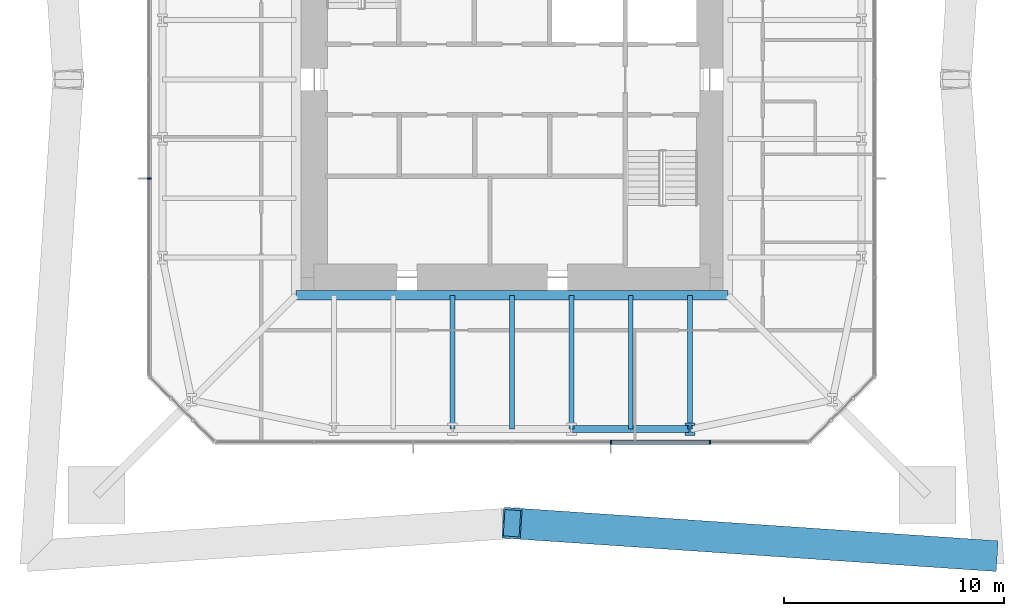
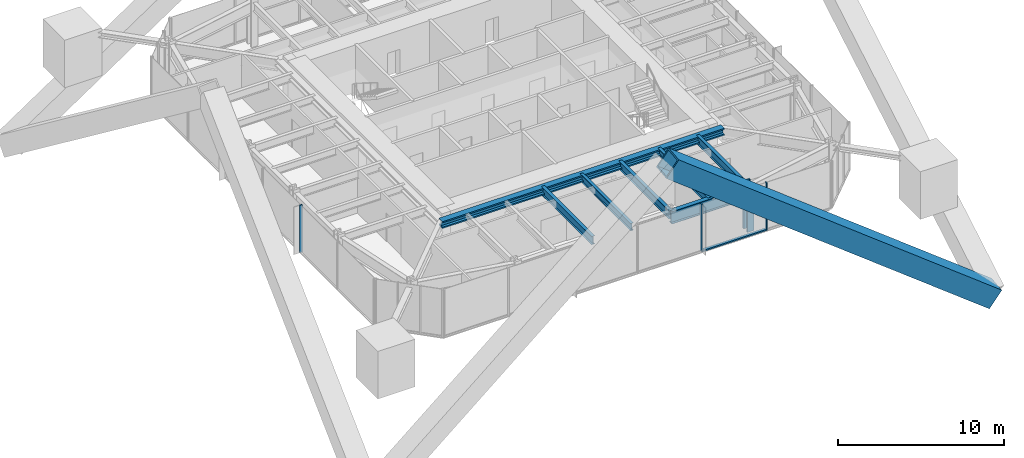
# One storey, part 2 of 11: 7 beams, 6 members, 2 elements without a shape of their own.
"""IFC4 building model written with IfcOpenShell, lengths in metres."""

from ifc_helpers import new_model, si_unit, direction, frame, origin, origin_2d, place, context, subcontext, project, spatial, rectangle, hollow_rectangle, i_section, extrude, material, material_profile, profile_set, type_object, element, aggregate, save


model = new_model("IFC4")

# Units and contexts
model_context = context("Model", 3, precision=1e-05, world=origin(), true_north=direction((0.0, 1.0)))
body_context = subcontext(model_context, "Body", "Model", "MODEL_VIEW")
ifc_project = project(units=[si_unit("LENGTHUNIT", "METRE"), si_unit("AREAUNIT", "SQUARE_METRE"), si_unit("VOLUMEUNIT", "CUBIC_METRE"), si_unit("PLANEANGLEUNIT", "RADIAN"), si_unit("MASSUNIT", "GRAM", prefix="KILO")], contexts=[model_context])

# Site, building, storey
site_placement = place(None, origin())
site = spatial("IfcSite", under=ifc_project, at=site_placement, CompositionType="ELEMENT")
building_placement = place(site_placement, origin())
building = spatial("IfcBuilding", under=site, at=building_placement, Name="Iwan Alto Co-Living Towers", CompositionType="ELEMENT")
storey_placement = place(building_placement, frame((0.0, 0.0, 215.0)))
storey = spatial("IfcBuildingStorey", under=building, at=storey_placement, Name="L58", CompositionType="ELEMENT", Elevation=215.0)

# Curtain wall, members
ifc_material_1 = material(Name="Bronze aluminium unitised frame", Category="aluminium")
curtain_wall_type = type_object("IfcCurtainWallType", Name="CURTAIN WALL CW-A", PredefinedType="NOTDEFINED", material=ifc_material_1)
curtain_wall_1_placement = place(storey_placement, origin())
curtain_wall_1 = element("IfcCurtainWall", 1, at=curtain_wall_1_placement, inside=storey, type_object=curtain_wall_type, Name="T1 curtain wall S L58", PredefinedType="NOTDEFINED")
ifc_material_2 = material(Name="Aluminium 6063-T6 bronze anodised", Category="aluminium")
ifc_material_profile_1 = material_profile(ifc_material_2, rectangle(XDim=0.199951171875, YDim=0.080078125, at=origin_2d()), Name="AL 80X200")
ifc_profile_set_1 = profile_set([ifc_material_profile_1], Name="Aluminium 6063-T6 bronze anodised")
member_type_1 = type_object("IfcMemberType", Name="CW-A MULLION 80X200", PredefinedType="MULLION", material=ifc_profile_set_1)
member_1_placement = place(storey_placement, frame((4.5, -16.5, 0.0), z_axis=(0.0, 0.0, 1.0), x_axis=(0.0, 1.0, 0.0)))
member_1 = element("IfcMember", 2, at=member_1_placement, type_object=member_type_1, Name="CW-A mullion 5", PredefinedType="MULLION", context=body_context, shape_type="SweptSolid", body=[
    extrude(rectangle(XDim=0.199951171875, YDim=0.080078125, at=origin_2d()), origin(), (0.0, 0.0, 1.0), 3.5),
])
member_2_placement = place(storey_placement, frame((9.0, -16.5, 0.0), z_axis=(0.0, 0.0, 1.0), x_axis=(0.0, 1.0, 0.0)))
member_2 = element("IfcMember", 3, at=member_2_placement, type_object=member_type_1, Name="CW-A mullion 6", PredefinedType="MULLION", context=body_context, shape_type="SweptSolid", body=[
    extrude(rectangle(XDim=0.199951171875, YDim=0.080078125, at=origin_2d()), origin(), (0.0, 0.0, 1.0), 3.5),
])

# Curtain wall, member
curtain_wall_2_placement = place(storey_placement, origin())
curtain_wall_2 = element("IfcCurtainWall", 4, at=curtain_wall_2_placement, inside=storey, type_object=curtain_wall_type, Name="T1 curtain wall W L58", PredefinedType="NOTDEFINED")
member_3_placement = place(storey_placement, frame((-16.5, -4.5, 0.0), z_axis=(0.0, 0.0, 1.0), x_axis=(1.0, 0.0, 0.0)))
member_3 = element("IfcMember", 5, at=member_3_placement, type_object=member_type_1, Name="CW-A mullion 5", PredefinedType="MULLION", context=body_context, shape_type="SweptSolid", body=[
    extrude(rectangle(XDim=0.199951171875, YDim=0.080078125, at=origin_2d()), origin(), (0.0, 0.0, 1.0), 3.5),
])
aggregate(curtain_wall_2, [member_3])

# Member
ifc_material_3 = material(Name="Aluminium 6063-T6 bronze anodised", Category="aluminium")
ifc_material_profile_2 = material_profile(ifc_material_3, rectangle(XDim=0.199951171875, YDim=0.10009765625, at=origin_2d()), Name="AL 200X100")
ifc_profile_set_2 = profile_set([ifc_material_profile_2], Name="Aluminium 6063-T6 bronze anodised")
member_type_2 = type_object("IfcMemberType", Name="CW-A TRANSOM 200X100", PredefinedType="USERDEFINED", material=ifc_profile_set_2)
member_4_placement = place(storey_placement, frame((4.5400390625, -16.5, 0.050048828125), z_axis=(1.0, 0.0, 0.0), x_axis=(0.0, 1.0, 0.0)))
member_4 = element("IfcMember", 6, at=member_4_placement, type_object=member_type_2, Name="CW-A transom 5.1", ObjectType="TRANSOM", PredefinedType="USERDEFINED", context=body_context, shape_type="SweptSolid", body=[
    extrude(rectangle(XDim=0.199951171875, YDim=0.10009765625, at=origin_2d()), origin(), (0.0, 0.0, 1.0), 4.419921875),
])

aggregate(curtain_wall_1, [member_1, member_2, member_4])

# Beams
ifc_material_4 = material(Name="Steel ASTM A992 Gr 50", Category="steel")
ifc_material_profile_3 = material_profile(ifc_material_4, i_section(OverallWidth=0.436767578125, OverallDepth=0.51318359375, WebThickness=0.060546875, FlangeThickness=0.096923828125, at=origin_2d()), Name="W14X550")
ifc_profile_set_3 = profile_set([ifc_material_profile_3], Name="Steel ASTM A992 Gr 50")
beam_type_1 = type_object("IfcBeamType", Name="T1 CORE LEDGER BEAM W14X550", PredefinedType="BEAM", material=ifc_profile_set_3)
beam_1_placement = place(storey_placement, frame((-9.818359375, -9.818359375, 3.013427734375), z_axis=(1.0, 0.0, 0.0), x_axis=(0.0, 1.0, 0.0)))
element("IfcBeam", 7, at=beam_1_placement, inside=storey, type_object=beam_type_1, Name="T1 core ledger beam S L59", PredefinedType="BEAM", context=body_context, shape_type="SweptSolid", body=[
    extrude(i_section(OverallWidth=0.436767578125, OverallDepth=0.51318359375, WebThickness=0.060546875, FlangeThickness=0.096923828125, at=origin_2d()), origin(), (0.0, 0.0, 1.0), 19.63671875),
])
ifc_material_5 = material(Name="Steel ASTM A992 Gr 50", Category="steel")
ifc_material_profile_4 = material_profile(ifc_material_5, i_section(OverallWidth=0.307373046875, OverallDepth=0.927001953125, WebThickness=0.01953125, FlangeThickness=0.031982421875, at=origin_2d()), Name="W36X194")
ifc_profile_set_4 = profile_set([ifc_material_profile_4], Name="Steel ASTM A992 Gr 50")
beam_type_2 = type_object("IfcBeamType", Name="T1 EDGE BEAM W36X194", PredefinedType="BEAM", material=ifc_profile_set_4)
beam_2_placement = place(storey_placement, frame((2.699951171875, -15.89990234375, 2.806396484375), z_axis=(1.0, 0.0, 0.0), x_axis=(0.0, 1.0, 0.0)))
element("IfcBeam", 8, at=beam_2_placement, inside=storey, type_object=beam_type_2, Name="T1 edge beam S3 L59", PredefinedType="BEAM", context=body_context, shape_type="SweptSolid", body=[
    extrude(i_section(OverallWidth=0.307373046875, OverallDepth=0.927001953125, WebThickness=0.01953125, FlangeThickness=0.031982421875, at=origin_2d()), origin(), (0.0, 0.0, 1.0), 5.400146484375),
])

# Member
ifc_material_6 = material(Name="Steel ASTM A572 Gr 50", Category="steel")
ifc_material_profile_5 = material_profile(ifc_material_6, hollow_rectangle(XDim=1.39990234375, YDim=1.39990234375, WallThickness=0.10009765625, at=origin_2d()), Name="BOX 1400X1400X100")
ifc_profile_set_5 = profile_set([ifc_material_profile_5], Name="Steel ASTM A572 Gr 50")
member_type_3 = type_object("IfcMemberType", Name="T1 MEGA BRACE BOX 1400X1400X100", PredefinedType="BRACE", material=ifc_profile_set_5)
member_5_placement = place(storey_placement, frame((21.64990234375, -21.64990234375, -6.0), z_axis=(-0.797999656611, 0.054119059235, 0.600223021448), x_axis=(-0.067662975304, -0.997708234793, 0.0)))
element("IfcMember", 9, at=member_5_placement, inside=storey, type_object=member_type_3, Name="T1 mega brace Z4A S 2 lower", PredefinedType="BRACE", context=body_context, shape_type="SweptSolid", body=[
    extrude(hollow_rectangle(XDim=1.39990234375, YDim=1.39990234375, WallThickness=0.10009765625, at=origin_2d()), origin(), (0.0, 0.0, 1.0), 27.130126953125),
])

# Beams
ifc_material_7 = material(Name="Steel ASTM A992 Gr 50", Category="steel")
ifc_material_profile_6 = material_profile(ifc_material_7, i_section(OverallWidth=0.228271484375, OverallDepth=0.607177734375, WebThickness=0.01123046875, FlangeThickness=0.017333984375, at=origin_2d()), Name="W24X76")
ifc_profile_set_6 = profile_set([ifc_material_profile_6], Name="Steel ASTM A992 Gr 50")
beam_type_3 = type_object("IfcBeamType", Name="T1 RADIAL BEAM W24X76", PredefinedType="BEAM", material=ifc_profile_set_6)
for number, where, z_axis, x_axis, name in (
    (10, (-2.699951171875, -15.89990234375, 2.966552734375), (0.0, 1.0, 0.0), (-1.0, 0.0, 0.0), "T1 radial beam S2 L59"),
    (11, (2.699951171875, -15.89990234375, 2.966552734375), (0.0, 1.0, 0.0), (-1.0, 0.0, 0.0), "T1 radial beam S3 L59"),
    (12, (8.10009765625, -15.89990234375, 2.966552734375), (0.0, 1.0, 0.0), (-1.0, 0.0, 0.0), "T1 radial beam S4 L59"),
):
    element("IfcBeam", number, at=place(storey_placement, frame(where, z_axis=z_axis, x_axis=x_axis)), inside=storey, type_object=beam_type_3, Name=name, PredefinedType="BEAM", context=body_context, shape_type="SweptSolid", body=[
        extrude(i_section(OverallWidth=0.228271484375, OverallDepth=0.607177734375, WebThickness=0.01123046875, FlangeThickness=0.017333984375, at=origin_2d()), origin(), (0.0, 0.0, 1.0), 6.08154296875),
    ])

# Member
ifc_material_8 = material(Name="Steel ASTM A992 Gr 50", Category="steel")
ifc_material_profile_7 = material_profile(ifc_material_8, i_section(OverallWidth=0.45458984375, OverallDepth=0.56884765625, WebThickness=0.077880859375, FlangeThickness=0.124755859375, at=origin_2d()), Name="W14X730")
ifc_profile_set_7 = profile_set([ifc_material_profile_7], Name="Steel ASTM A992 Gr 50")
member_type_4 = type_object("IfcMemberType", Name="T1 RING POST AT STEP W14X730", PredefinedType="MEMBER", material=ifc_profile_set_7)
member_6_placement = place(storey_placement, frame((8.10009765625, -15.89990234375, 0.0), z_axis=(0.0, 0.0, 1.0), x_axis=(1.0, 0.0, 0.0)))
element("IfcMember", 13, at=member_6_placement, inside=storey, type_object=member_type_4, Name="T1 ring post at step S4 L58", PredefinedType="MEMBER", context=body_context, shape_type="SweptSolid", body=[
    extrude(i_section(OverallWidth=0.45458984375, OverallDepth=0.56884765625, WebThickness=0.077880859375, FlangeThickness=0.124755859375, at=origin_2d()), origin(), (0.0, 0.0, 1.0), 3.5),
])

# Beams
ifc_material_9 = material(Name="Steel ASTM A992 Gr 50", Category="steel")
ifc_material_profile_8 = material_profile(ifc_material_9, i_section(OverallWidth=0.209228515625, OverallDepth=0.533447265625, WebThickness=0.01025390625, FlangeThickness=0.015625, at=origin_2d()), Name="W21X62")
ifc_profile_set_8 = profile_set([ifc_material_profile_8], Name="Steel ASTM A992 Gr 50")
beam_type_4 = type_object("IfcBeamType", Name="T1 SECONDARY BEAM W21X62", PredefinedType="JOIST", material=ifc_profile_set_8)
for number, where, z_axis, x_axis, name in (
    (14, (0.0, -15.89990234375, 3.00341796875), (0.0, 1.0, 0.0), (-1.0, 0.0, 0.0), "T1 secondary beam S2 L59"),
    (15, (5.39990234375, -15.89990234375, 3.00341796875), (0.0, 1.0, 0.0), (-1.0, 0.0, 0.0), "T1 secondary beam S3 L59"),
):
    element("IfcBeam", number, at=place(storey_placement, frame(where, z_axis=z_axis, x_axis=x_axis)), inside=storey, type_object=beam_type_4, Name=name, PredefinedType="JOIST", context=body_context, shape_type="SweptSolid", body=[
        extrude(i_section(OverallWidth=0.209228515625, OverallDepth=0.533447265625, WebThickness=0.01025390625, FlangeThickness=0.015625, at=origin_2d()), origin(), (0.0, 0.0, 1.0), 6.08154296875),
    ])

save(model, "model.ifc")
